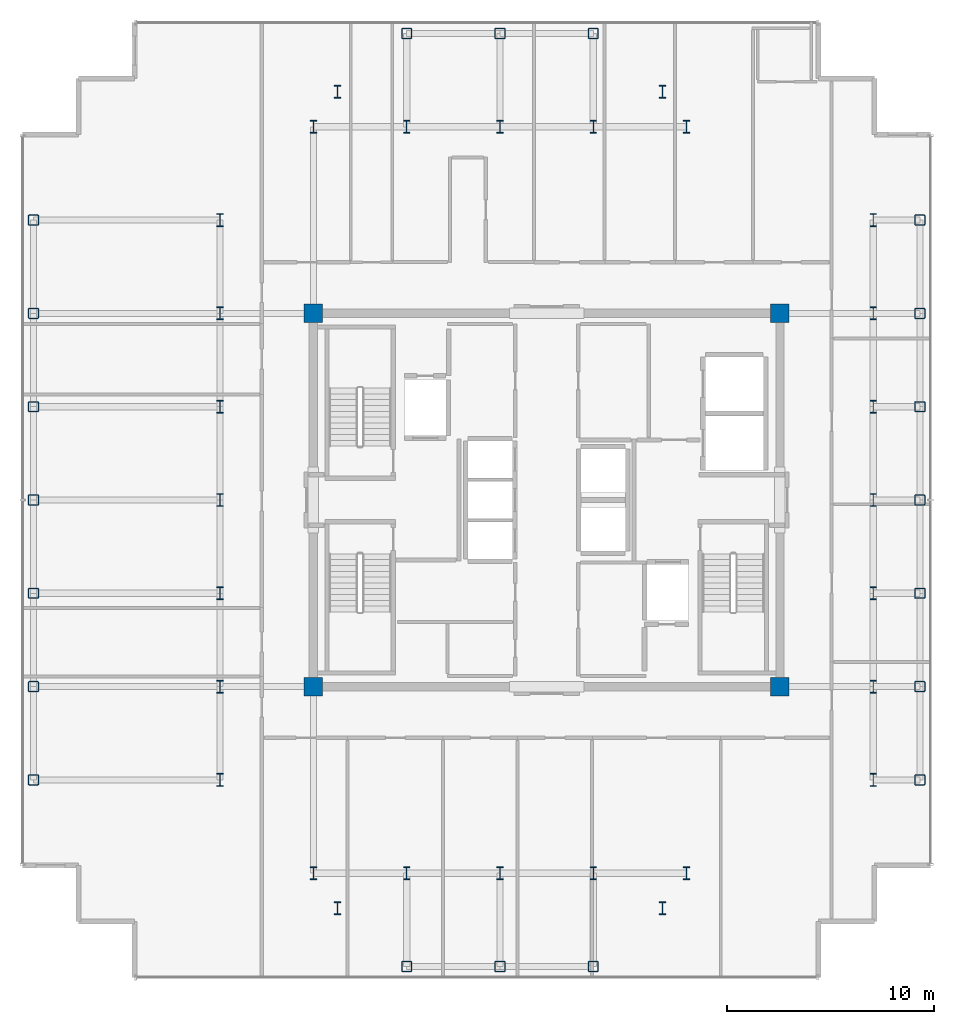
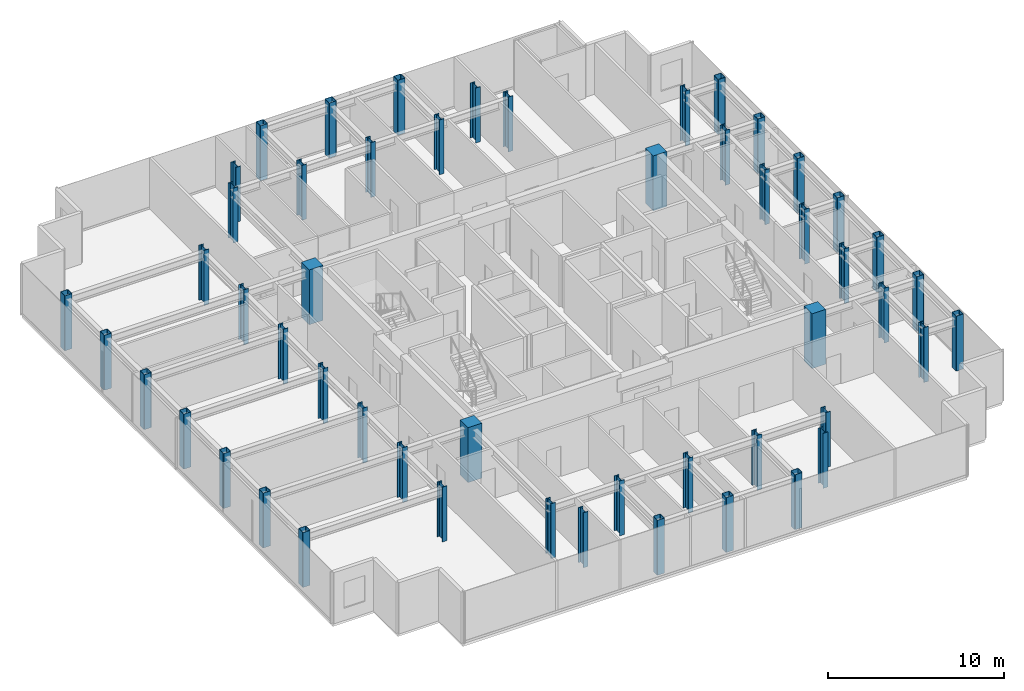
# One storey, part 1 of 17: 52 columns.
"""IFC4 building model written with IfcOpenShell, lengths in metres."""

from ifc_helpers import new_model, si_unit, direction, frame, origin, origin_2d, place, context, subcontext, project, spatial, rectangle, hollow_rectangle, i_section, extrude, source, transform, mapped, material, material_profile, profile_set, type_object, element, save


model = new_model("IFC4")

# Units and contexts
model_context = context("Model", 3, precision=1e-05, world=origin(), true_north=direction((0.0, 1.0)))
body_context = subcontext(model_context, "Body", "Model", "MODEL_VIEW")
ifc_project = project(units=[si_unit("LENGTHUNIT", "METRE"), si_unit("AREAUNIT", "SQUARE_METRE"), si_unit("VOLUMEUNIT", "CUBIC_METRE"), si_unit("PLANEANGLEUNIT", "RADIAN"), si_unit("MASSUNIT", "GRAM", prefix="KILO")], contexts=[model_context])

# Site, building, storey
site_placement = place(None, origin())
site = spatial("IfcSite", under=ifc_project, at=site_placement, CompositionType="ELEMENT")
building_placement = place(site_placement, origin())
building = spatial("IfcBuilding", under=site, at=building_placement, Name="Nefas-Gora Pilgrimage Tower", CompositionType="ELEMENT")
storey_placement = place(building_placement, frame((0.0, 0.0, 341.39990234375)))
storey = spatial("IfcBuildingStorey", under=building, at=storey_placement, Name="L86", CompositionType="ELEMENT", Elevation=341.39990234375)

# Columns
ifc_material_1 = material(Name="Steel S355", Category="steel")
ifc_material_profile_1 = material_profile(ifc_material_1, i_section(OverallWidth=0.304931640625, OverallDepth=0.6201171875, WebThickness=0.02099609375, FlangeThickness=0.0400390625, FilletRadius=0.027099609375, at=origin_2d()), Name="HEM 600")
ifc_profile_set_1 = profile_set([ifc_material_profile_1], Name="Steel S355")
column_type_1 = type_object("IfcColumnType", Name="COL-WEB-HEM600", PredefinedType="COLUMN", material=ifc_profile_set_1)
shared_shape_1 = source(origin(), body_context, "Body", "SweptSolid", [
    extrude(i_section(OverallWidth=0.304931640625, OverallDepth=0.6201171875, WebThickness=0.02099609375, FlangeThickness=0.0400390625, FilletRadius=0.027099609375, at=origin_2d()), origin(), (0.0, 0.0, 1.0), 3.800048828125),
])
for number, where, z_axis, x_axis, name in (
    (1, (-15.75, -13.5, 0.0), (0.0, 0.0, 1.0), (1.0, 0.0, 0.0), "L86 Tower Column CW-03.8"),
    (2, (-15.75, -9.0, 0.0), (0.0, 0.0, 1.0), (1.0, 0.0, 0.0), "L86 Tower Column CW-03.9"),
    (3, (-15.75, -4.5, 0.0), (0.0, 0.0, 1.0), (1.0, 0.0, 0.0), "L86 Tower Column CW-03.10"),
    (4, (-15.75, 0.0, 0.0), (0.0, 0.0, 1.0), (1.0, 0.0, 0.0), "L86 Tower Column CW-03.11"),
    (5, (-15.75, 4.5, 0.0), (0.0, 0.0, 1.0), (1.0, 0.0, 0.0), "L86 Tower Column CW-03.12"),
    (6, (-15.75, 9.0, 0.0), (0.0, 0.0, 1.0), (1.0, 0.0, 0.0), "L86 Tower Column CW-03.13"),
    (7, (-15.75, 13.5, 0.0), (0.0, 0.0, 1.0), (1.0, 0.0, 0.0), "L86 Tower Column CW-03.14"),
    (8, (-11.25, -18.0, 0.0), (0.0, 0.0, 1.0), (1.0, 0.0, 0.0), "L86 Tower Column CW-03.15"),
    (9, (-11.25, 18.0, 0.0), (0.0, 0.0, 1.0), (1.0, 0.0, 0.0), "L86 Tower Column CW-03.18"),
    (10, (-10.091064453125, -19.696044921875, 0.0), (0.0, 0.0, 1.0), (1.0, 0.0, 0.0), "L86 Tower Column CW-03.19"),
    (11, (-10.091064453125, 19.696044921875, 0.0), (0.0, 0.0, 1.0), (1.0, 0.0, 0.0), "L86 Tower Column CW-03.20"),
    (12, (-6.75, -18.0, 0.0), (0.0, 0.0, 1.0), (1.0, 0.0, 0.0), "L86 Tower Column CW-03.22"),
    (13, (-6.75, 18.0, 0.0), (0.0, 0.0, 1.0), (1.0, 0.0, 0.0), "L86 Tower Column CW-03.23"),
    (14, (-2.25, -18.0, 0.0), (0.0, 0.0, 1.0), (1.0, 0.0, 0.0), "L86 Tower Column CW-03.26"),
    (15, (-2.25, 18.0, 0.0), (0.0, 0.0, 1.0), (1.0, 0.0, 0.0), "L86 Tower Column CW-03.27"),
    (16, (2.25, -18.0, 0.0), (0.0, 0.0, 1.0), (1.0, 0.0, 0.0), "L86 Tower Column CW-03.30"),
    (17, (2.25, 18.0, 0.0), (0.0, 0.0, 1.0), (1.0, 0.0, 0.0), "L86 Tower Column CW-03.31"),
    (18, (5.591064453125, -19.696044921875, 0.0), (0.0, 0.0, 1.0), (1.0, 0.0, 0.0), "L86 Tower Column CW-03.33"),
    (19, (5.591064453125, 19.696044921875, 0.0), (0.0, 0.0, 1.0), (1.0, 0.0, 0.0), "L86 Tower Column CW-03.34"),
    (20, (6.75, -18.0, 0.0), (0.0, 0.0, 1.0), (1.0, 0.0, 0.0), "L86 Tower Column CW-03.35"),
    (21, (6.75, 18.0, 0.0), (0.0, 0.0, 1.0), (1.0, 0.0, 0.0), "L86 Tower Column CW-03.36"),
    (22, (15.75, -13.5, 0.0), (0.0, 0.0, 1.0), (1.0, 0.0, 0.0), "L86 Tower Column CW-03.39"),
    (23, (15.75, -9.0, 0.0), (0.0, 0.0, 1.0), (1.0, 0.0, 0.0), "L86 Tower Column CW-03.40"),
    (24, (15.75, -4.5, 0.0), (0.0, 0.0, 1.0), (1.0, 0.0, 0.0), "L86 Tower Column CW-03.41"),
    (25, (15.75, 0.0, 0.0), (0.0, 0.0, 1.0), (1.0, 0.0, 0.0), "L86 Tower Column CW-03.42"),
    (26, (15.75, 4.5, 0.0), (0.0, 0.0, 1.0), (1.0, 0.0, 0.0), "L86 Tower Column CW-03.43"),
    (27, (15.75, 9.0, 0.0), (0.0, 0.0, 1.0), (1.0, 0.0, 0.0), "L86 Tower Column CW-03.44"),
    (28, (15.75, 13.5, 0.0), (0.0, 0.0, 1.0), (1.0, 0.0, 0.0), "L86 Tower Column CW-03.45"),
):
    element("IfcColumn", number, at=place(storey_placement, frame(where, z_axis=z_axis, x_axis=x_axis)), inside=storey, type_object=column_type_1, Name=name, PredefinedType="COLUMN", context=body_context, shape_type="MappedRepresentation", body=[
        mapped(shared_shape_1, transform((0.0, 0.0, 0.0), x_axis=(1.0, 0.0, 0.0), y_axis=(0.0, 1.0, 0.0), z_axis=(0.0, 0.0, 1.0), scale=1.0)),
    ])
ifc_material_profile_2 = material_profile(ifc_material_1, hollow_rectangle(XDim=0.5, YDim=0.5, WallThickness=0.02490234375, InnerFilletRadius=0.02490234375, OuterFilletRadius=0.050048828125, at=origin_2d()), Name="SHS 500x500x25")
ifc_profile_set_2 = profile_set([ifc_material_profile_2], Name="Steel S355")
column_type_2 = type_object("IfcColumnType", Name="COL-TUBE-500", PredefinedType="COLUMN", material=ifc_profile_set_2)
shared_shape_2 = source(origin(), body_context, "Body", "SweptSolid", [
    extrude(hollow_rectangle(XDim=0.5, YDim=0.5, WallThickness=0.02490234375, InnerFilletRadius=0.02490234375, OuterFilletRadius=0.050048828125, at=origin_2d()), origin(), (0.0, 0.0, 1.0), 3.800048828125),
])
for number, where, z_axis, x_axis, name in (
    (29, (-24.75, -13.5, 0.0), (0.0, 0.0, 1.0), (1.0, 0.0, 0.0), "L86 Tower Column C-Z4.1"),
    (30, (-24.75, -9.0, 0.0), (0.0, 0.0, 1.0), (1.0, 0.0, 0.0), "L86 Tower Column C-Z4.2"),
    (31, (-24.75, -4.5, 0.0), (0.0, 0.0, 1.0), (1.0, 0.0, 0.0), "L86 Tower Column C-Z4.3"),
    (32, (-24.75, 0.0, 0.0), (0.0, 0.0, 1.0), (1.0, 0.0, 0.0), "L86 Tower Column C-Z4.4"),
    (33, (-24.75, 4.5, 0.0), (0.0, 0.0, 1.0), (1.0, 0.0, 0.0), "L86 Tower Column C-Z4.5"),
    (34, (-24.75, 9.0, 0.0), (0.0, 0.0, 1.0), (1.0, 0.0, 0.0), "L86 Tower Column C-Z4.6"),
    (35, (-24.75, 13.5, 0.0), (0.0, 0.0, 1.0), (1.0, 0.0, 0.0), "L86 Tower Column C-Z4.7"),
    (36, (-6.75, -22.5, 0.0), (0.0, 0.0, 1.0), (1.0, 0.0, 0.0), "L86 Tower Column C-Z4.21"),
    (37, (-6.75, 22.5, 0.0), (0.0, 0.0, 1.0), (1.0, 0.0, 0.0), "L86 Tower Column C-Z4.24"),
    (38, (-2.25, -22.5, 0.0), (0.0, 0.0, 1.0), (1.0, 0.0, 0.0), "L86 Tower Column C-Z4.25"),
    (39, (-2.25, 22.5, 0.0), (0.0, 0.0, 1.0), (1.0, 0.0, 0.0), "L86 Tower Column C-Z4.28"),
    (40, (2.25, -22.5, 0.0), (0.0, 0.0, 1.0), (1.0, 0.0, 0.0), "L86 Tower Column C-Z4.29"),
    (41, (2.25, 22.5, 0.0), (0.0, 0.0, 1.0), (1.0, 0.0, 0.0), "L86 Tower Column C-Z4.32"),
    (42, (18.0, -13.5, 0.0), (0.0, 0.0, 1.0), (1.0, 0.0, 0.0), "L86 Tower Column C-Z4.46"),
    (43, (18.0, -9.0, 0.0), (0.0, 0.0, 1.0), (1.0, 0.0, 0.0), "L86 Tower Column C-Z4.47"),
    (44, (18.0, -4.5, 0.0), (0.0, 0.0, 1.0), (1.0, 0.0, 0.0), "L86 Tower Column C-Z4.48"),
    (45, (18.0, 0.0, 0.0), (0.0, 0.0, 1.0), (1.0, 0.0, 0.0), "L86 Tower Column C-Z4.49"),
    (46, (18.0, 4.5, 0.0), (0.0, 0.0, 1.0), (1.0, 0.0, 0.0), "L86 Tower Column C-Z4.50"),
    (47, (18.0, 9.0, 0.0), (0.0, 0.0, 1.0), (1.0, 0.0, 0.0), "L86 Tower Column C-Z4.51"),
    (48, (18.0, 13.5, 0.0), (0.0, 0.0, 1.0), (1.0, 0.0, 0.0), "L86 Tower Column C-Z4.52"),
):
    element("IfcColumn", number, at=place(storey_placement, frame(where, z_axis=z_axis, x_axis=x_axis)), inside=storey, type_object=column_type_2, Name=name, PredefinedType="COLUMN", context=body_context, shape_type="MappedRepresentation", body=[
        mapped(shared_shape_2, transform((0.0, 0.0, 0.0), x_axis=(1.0, 0.0, 0.0), y_axis=(0.0, 1.0, 0.0), z_axis=(0.0, 0.0, 1.0), scale=1.0)),
    ])
ifc_material_2 = material(Name="Concrete C50/60", Category="concrete")
ifc_material_profile_3 = material_profile(ifc_material_2, rectangle(XDim=0.89990234375, YDim=0.89990234375, at=origin_2d()), Name="RC 900x900")
ifc_profile_set_3 = profile_set([ifc_material_profile_3], Name="Concrete C50/60")
column_type_3 = type_object("IfcColumnType", Name="COL-RC-900", PredefinedType="COLUMN", material=ifc_profile_set_3)
shared_shape_3 = source(origin(), body_context, "Body", "SweptSolid", [
    extrude(rectangle(XDim=0.89990234375, YDim=0.89990234375, at=origin_2d()), origin(), (0.0, 0.0, 1.0), 3.800048828125),
])
for number, where, z_axis, x_axis, name in (
    (49, (-11.25, -9.0, 0.0), (0.0, 0.0, 1.0), (1.0, 0.0, 0.0), "L86 Tower Column CRC-02.16"),
    (50, (-11.25, 9.0, 0.0), (0.0, 0.0, 1.0), (1.0, 0.0, 0.0), "L86 Tower Column CRC-02.17"),
    (51, (11.25, -9.0, 0.0), (0.0, 0.0, 1.0), (1.0, 0.0, 0.0), "L86 Tower Column CRC-02.37"),
    (52, (11.25, 9.0, 0.0), (0.0, 0.0, 1.0), (1.0, 0.0, 0.0), "L86 Tower Column CRC-02.38"),
):
    element("IfcColumn", number, at=place(storey_placement, frame(where, z_axis=z_axis, x_axis=x_axis)), inside=storey, type_object=column_type_3, Name=name, PredefinedType="COLUMN", context=body_context, shape_type="MappedRepresentation", body=[
        mapped(shared_shape_3, transform((0.0, 0.0, 0.0), x_axis=(1.0, 0.0, 0.0), y_axis=(0.0, 1.0, 0.0), z_axis=(0.0, 0.0, 1.0), scale=1.0)),
    ])

save(model, "model.ifc")
